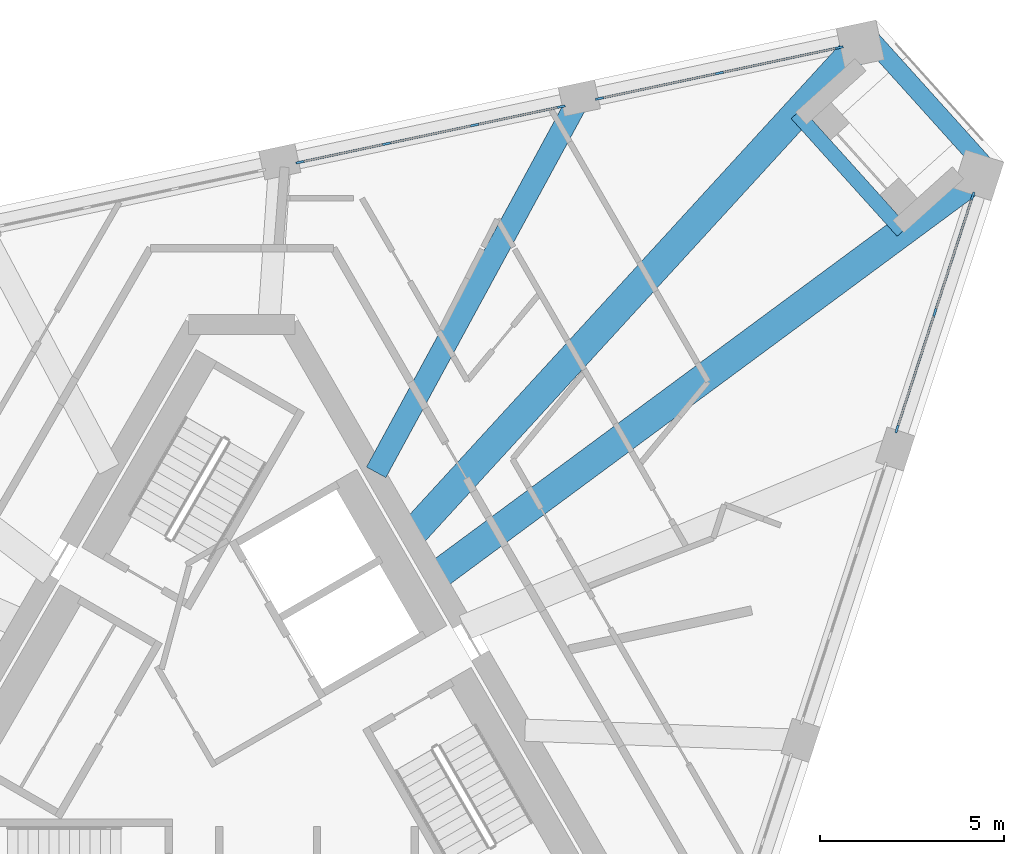
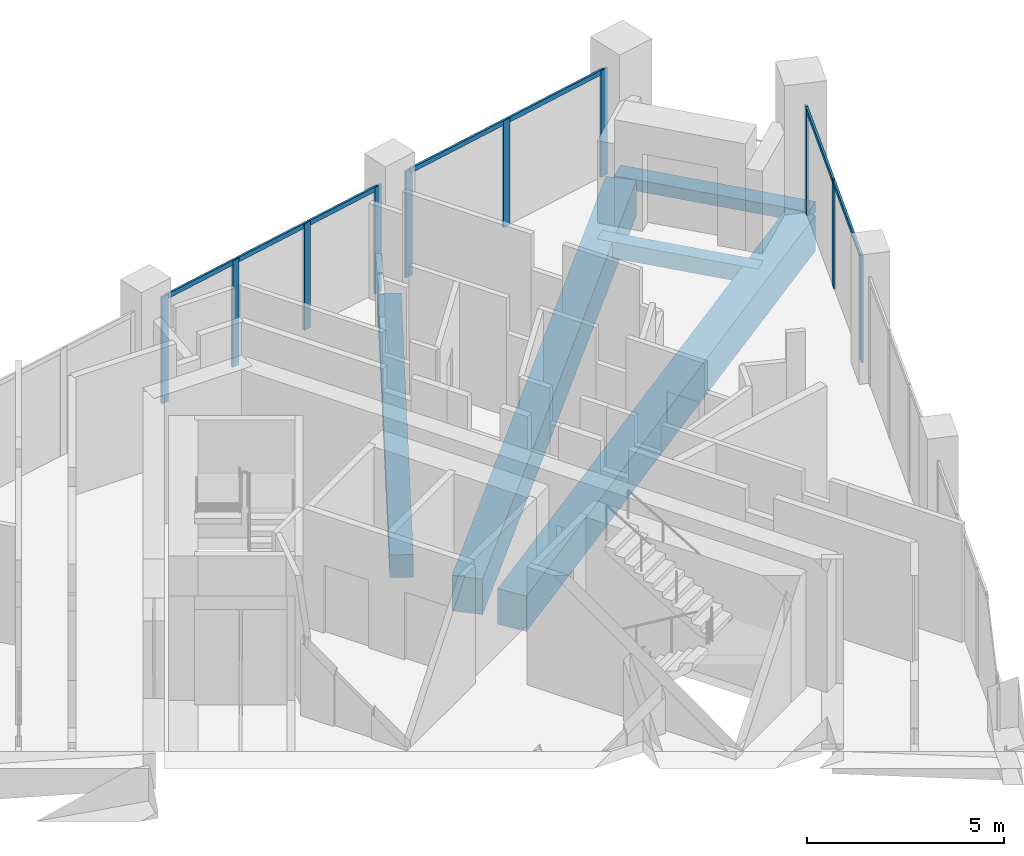
# One storey, part 8 of 17: 17 members, 5 beams, 3 elements without a shape of their own.
"""IFC4 building model written with IfcOpenShell, lengths in metres."""

from ifc_helpers import new_model, si_unit, direction, frame, origin, origin_2d, place, context, subcontext, project, spatial, rectangle, extrude, material, layer, layer_set, material_profile, profile_set, type_object, element, aggregate, save


model = new_model("IFC4")

# Units and contexts
model_context = context("Model", 3, precision=1e-05, world=origin(), true_north=direction((0.0, 1.0)))
body_context = subcontext(model_context, "Body", "Model", "MODEL_VIEW")
ifc_project = project(units=[si_unit("LENGTHUNIT", "METRE"), si_unit("AREAUNIT", "SQUARE_METRE"), si_unit("VOLUMEUNIT", "CUBIC_METRE"), si_unit("PLANEANGLEUNIT", "RADIAN"), si_unit("MASSUNIT", "GRAM", prefix="KILO")], contexts=[model_context])

# Site, building, storey
site_placement = place(None, origin())
site = spatial("IfcSite", under=ifc_project, at=site_placement, CompositionType="ELEMENT")
building_placement = place(site_placement, origin())
building = spatial("IfcBuilding", under=site, at=building_placement, Name="Tramontana Tower", CompositionType="ELEMENT")
storey_placement = place(building_placement, frame((0.0, 0.0, 348.39990234375)))
storey = spatial("IfcBuildingStorey", under=building, at=storey_placement, Name="L80", CompositionType="ELEMENT", Elevation=348.39990234375)

# Curtain wall, members
ifc_material_1 = material(Name="Aluminum extrusion", Category="aluminium")
ifc_layer = layer(ifc_material_1, 0.14990234375)
ifc_layer_set = layer_set([ifc_layer], Name="CW5 Top lounge curtain wall")
curtain_wall_type = type_object("IfcCurtainWallType", Name="CW5 Top lounge curtain wall", PredefinedType="NOTDEFINED", material=ifc_layer_set)
curtain_wall_1_placement = place(storey_placement, origin())
curtain_wall_1 = element("IfcCurtainWall", 1, at=curtain_wall_1_placement, inside=storey, type_object=curtain_wall_type, Name="CW5 curtain wall L80 face 1 bay 5", PredefinedType="NOTDEFINED")
ifc_material_2 = material(Name="Aluminum extrusion", Category="aluminium")
ifc_material_profile_1 = material_profile(ifc_material_2, rectangle(XDim=0.06005859375, YDim=0.219970703125, at=origin_2d()), Name="CW5-M Mullion 60 x 220")
ifc_profile_set_1 = profile_set([ifc_material_profile_1], Name="Aluminum extrusion")
member_type_1 = type_object("IfcMemberType", Name="CW5-M Mullion 60 x 220", PredefinedType="MULLION", material=ifc_profile_set_1)
member_1_placement = place(storey_placement, frame((17.783935546875, 7.891357421875, 0.0), z_axis=(0.0, 0.0, 1.0), x_axis=(-0.951056516295, 0.309016994375, 0.0)))
member_1 = element("IfcMember", 2, at=member_1_placement, type_object=member_type_1, Name="CW5 curtain wall L80 face 1 bay 5 mullion 1", PredefinedType="MULLION", context=body_context, shape_type="SweptSolid", body=[
    extrude(rectangle(XDim=0.06005859375, YDim=0.219970703125, at=origin_2d()), origin(), (0.0, 0.0, 1.0), 3.300048828125),
])
member_2_placement = place(storey_placement, frame((18.81201171875, 11.055419921875, 0.0), z_axis=(0.0, 0.0, 1.0), x_axis=(-0.951056516295, 0.309016994375, 0.0)))
member_2 = element("IfcMember", 3, at=member_2_placement, type_object=member_type_1, Name="CW5 curtain wall L80 face 1 bay 5 mullion 2", PredefinedType="MULLION", context=body_context, shape_type="SweptSolid", body=[
    extrude(rectangle(XDim=0.06005859375, YDim=0.219970703125, at=origin_2d()), origin(), (0.0, 0.0, 1.0), 3.300048828125),
])
member_3_placement = place(storey_placement, frame((19.840087890625, 14.2197265625, 0.0), z_axis=(0.0, 0.0, 1.0), x_axis=(-0.951056516295, 0.309016994375, 0.0)))
member_3 = element("IfcMember", 4, at=member_3_placement, type_object=member_type_1, Name="CW5 curtain wall L80 face 1 bay 5 mullion 3", PredefinedType="MULLION", context=body_context, shape_type="SweptSolid", body=[
    extrude(rectangle(XDim=0.06005859375, YDim=0.219970703125, at=origin_2d()), origin(), (0.0, 0.0, 1.0), 3.300048828125),
])

curtain_wall_2_placement = place(storey_placement, origin())
curtain_wall_2 = element("IfcCurtainWall", 5, at=curtain_wall_2_placement, inside=storey, type_object=curtain_wall_type, Name="CW5 curtain wall L80 face 2 bay 1", PredefinedType="NOTDEFINED")
member_4_placement = place(storey_placement, frame((16.215576171875, 18.2451171875, 0.0), z_axis=(0.0, 0.0, 1.0), x_axis=(0.207911690818, -0.978147600734, 0.0)))
member_4 = element("IfcMember", 6, at=member_4_placement, type_object=member_type_1, Name="CW5 curtain wall L80 face 2 bay 1 mullion 1", PredefinedType="MULLION", context=body_context, shape_type="SweptSolid", body=[
    extrude(rectangle(XDim=0.06005859375, YDim=0.219970703125, at=origin_2d()), origin(), (0.0, 0.0, 1.0), 3.300048828125),
])
member_5_placement = place(storey_placement, frame((12.96142578125, 17.553466796875, 0.0), z_axis=(0.0, 0.0, 1.0), x_axis=(0.207911690818, -0.978147600734, 0.0)))
member_5 = element("IfcMember", 7, at=member_5_placement, type_object=member_type_1, Name="CW5 curtain wall L80 face 2 bay 1 mullion 2", PredefinedType="MULLION", context=body_context, shape_type="SweptSolid", body=[
    extrude(rectangle(XDim=0.06005859375, YDim=0.219970703125, at=origin_2d()), origin(), (0.0, 0.0, 1.0), 3.300048828125),
])
member_6_placement = place(storey_placement, frame((9.70703125, 16.86181640625, 0.0), z_axis=(0.0, 0.0, 1.0), x_axis=(0.207911690818, -0.978147600734, 0.0)))
member_6 = element("IfcMember", 8, at=member_6_placement, type_object=member_type_1, Name="CW5 curtain wall L80 face 2 bay 1 mullion 3", PredefinedType="MULLION", context=body_context, shape_type="SweptSolid", body=[
    extrude(rectangle(XDim=0.06005859375, YDim=0.219970703125, at=origin_2d()), origin(), (0.0, 0.0, 1.0), 3.300048828125),
])

curtain_wall_3_placement = place(storey_placement, origin())
curtain_wall_3 = element("IfcCurtainWall", 9, at=curtain_wall_3_placement, inside=storey, type_object=curtain_wall_type, Name="CW5 curtain wall L80 face 2 bay 2", PredefinedType="NOTDEFINED")
member_7_placement = place(storey_placement, frame((8.67041015625, 16.641357421875, 0.0), z_axis=(0.0, 0.0, 1.0), x_axis=(0.207911690818, -0.978147600734, 0.0)))
member_7 = element("IfcMember", 10, at=member_7_placement, type_object=member_type_1, Name="CW5 curtain wall L80 face 2 bay 2 mullion 1", PredefinedType="MULLION", context=body_context, shape_type="SweptSolid", body=[
    extrude(rectangle(XDim=0.06005859375, YDim=0.219970703125, at=origin_2d()), origin(), (0.0, 0.0, 1.0), 3.300048828125),
])
member_8_placement = place(storey_placement, frame((6.31494140625, 16.140625, 0.0), z_axis=(0.0, 0.0, 1.0), x_axis=(0.207911690818, -0.978147600734, 0.0)))
member_8 = element("IfcMember", 11, at=member_8_placement, type_object=member_type_1, Name="CW5 curtain wall L80 face 2 bay 2 mullion 2", PredefinedType="MULLION", context=body_context, shape_type="SweptSolid", body=[
    extrude(rectangle(XDim=0.06005859375, YDim=0.219970703125, at=origin_2d()), origin(), (0.0, 0.0, 1.0), 3.300048828125),
])
member_9_placement = place(storey_placement, frame((3.930419921875, 15.6337890625, 0.0), z_axis=(0.0, 0.0, 1.0), x_axis=(0.207911690818, -0.978147600734, 0.0)))
member_9 = element("IfcMember", 12, at=member_9_placement, type_object=member_type_1, Name="CW5 curtain wall L80 face 2 bay 2 mullion 3", PredefinedType="MULLION", context=body_context, shape_type="SweptSolid", body=[
    extrude(rectangle(XDim=0.06005859375, YDim=0.219970703125, at=origin_2d()), origin(), (0.0, 0.0, 1.0), 3.300048828125),
])
member_10_placement = place(storey_placement, frame((1.574951171875, 15.133056640625, 0.0), z_axis=(0.0, 0.0, 1.0), x_axis=(0.207911690818, -0.978147600734, 0.0)))
member_10 = element("IfcMember", 13, at=member_10_placement, type_object=member_type_1, Name="CW5 curtain wall L80 face 2 bay 2 mullion 4", PredefinedType="MULLION", context=body_context, shape_type="SweptSolid", body=[
    extrude(rectangle(XDim=0.06005859375, YDim=0.219970703125, at=origin_2d()), origin(), (0.0, 0.0, 1.0), 3.300048828125),
])

# Member
ifc_material_3 = material(Name="Aluminum extrusion", Category="aluminium")
ifc_material_profile_2 = material_profile(ifc_material_3, rectangle(XDim=0.06005859375, YDim=0.14990234375, at=origin_2d()), Name="CW5-T Transom 60 x 150")
ifc_profile_set_2 = profile_set([ifc_material_profile_2], Name="Aluminum extrusion")
member_type_2 = type_object("IfcMemberType", Name="CW5-T Transom 60 x 150", PredefinedType="USERDEFINED", material=ifc_profile_set_2)
member_11_placement = place(storey_placement, frame((17.793212890625, 7.919921875, 3.239990234375), z_axis=(0.308999895303, 0.951062071951, 0.0), x_axis=(-0.951062071951, 0.308999895303, 0.0)))
member_11 = element("IfcMember", 14, at=member_11_placement, type_object=member_type_2, Name="CW5 curtain wall L80 face 1 bay 5 transom 1.1", ObjectType="TRANSOM", PredefinedType="USERDEFINED", context=body_context, shape_type="SweptSolid", body=[
    extrude(rectangle(XDim=0.06005859375, YDim=0.14990234375, at=origin_2d()), origin(), (0.0, 0.0, 1.0), 3.26708984375),
])

member_12_placement = place(storey_placement, frame((18.8212890625, 11.083984375, 3.239990234375), z_axis=(0.308999895303, 0.951062071951, 0.0), x_axis=(-0.951062071951, 0.308999895303, 0.0)))
member_12 = element("IfcMember", 15, at=member_12_placement, type_object=member_type_2, Name="CW5 curtain wall L80 face 1 bay 5 transom 2.1", ObjectType="TRANSOM", PredefinedType="USERDEFINED", context=body_context, shape_type="SweptSolid", body=[
    extrude(rectangle(XDim=0.06005859375, YDim=0.14990234375, at=origin_2d()), origin(), (0.0, 0.0, 1.0), 3.26708984375),
])

aggregate(curtain_wall_1, [member_1, member_2, member_3, member_11, member_12])

member_13_placement = place(storey_placement, frame((16.186279296875, 18.23876953125, 3.239990234375), z_axis=(-0.978149923447, -0.207900763009, 0.0), x_axis=(0.207900763009, -0.978149923447, 0.0)))
member_13 = element("IfcMember", 16, at=member_13_placement, type_object=member_type_2, Name="CW5 curtain wall L80 face 2 bay 1 transom 1.1", ObjectType="TRANSOM", PredefinedType="USERDEFINED", context=body_context, shape_type="SweptSolid", body=[
    extrude(rectangle(XDim=0.06005859375, YDim=0.14990234375, at=origin_2d()), origin(), (0.0, 0.0, 1.0), 3.266845703125),
])

member_14_placement = place(storey_placement, frame((12.93212890625, 17.547119140625, 3.239990234375), z_axis=(-0.978149923447, -0.207900763009, 0.0), x_axis=(0.207900763009, -0.978149923447, 0.0)))
member_14 = element("IfcMember", 17, at=member_14_placement, type_object=member_type_2, Name="CW5 curtain wall L80 face 2 bay 1 transom 2.1", ObjectType="TRANSOM", PredefinedType="USERDEFINED", context=body_context, shape_type="SweptSolid", body=[
    extrude(rectangle(XDim=0.06005859375, YDim=0.14990234375, at=origin_2d()), origin(), (0.0, 0.0, 1.0), 3.266845703125),
])

aggregate(curtain_wall_2, [member_4, member_5, member_6, member_13, member_14])

member_15_placement = place(storey_placement, frame((8.640869140625, 16.635009765625, 3.239990234375), z_axis=(-0.978158586648, -0.207859999438, 0.0), x_axis=(0.207859999438, -0.978158586648, 0.0)))
member_15 = element("IfcMember", 18, at=member_15_placement, type_object=member_type_2, Name="CW5 curtain wall L80 face 2 bay 2 transom 1.1", ObjectType="TRANSOM", PredefinedType="USERDEFINED", context=body_context, shape_type="SweptSolid", body=[
    extrude(rectangle(XDim=0.06005859375, YDim=0.14990234375, at=origin_2d()), origin(), (0.0, 0.0, 1.0), 2.347900390625),
])

member_16_placement = place(storey_placement, frame((6.28564453125, 16.134521484375, 3.239990234375), z_axis=(-0.978148151192, -0.207909101098, 0.0), x_axis=(0.207909101098, -0.978148151192, 0.0)))
member_16 = element("IfcMember", 19, at=member_16_placement, type_object=member_type_2, Name="CW5 curtain wall L80 face 2 bay 2 transom 2.1", ObjectType="TRANSOM", PredefinedType="USERDEFINED", context=body_context, shape_type="SweptSolid", body=[
    extrude(rectangle(XDim=0.06005859375, YDim=0.14990234375, at=origin_2d()), origin(), (0.0, 0.0, 1.0), 2.3779296875),
])

member_17_placement = place(storey_placement, frame((3.90087890625, 15.62744140625, 3.239990234375), z_axis=(-0.978158586648, -0.207859999438, 0.0), x_axis=(0.207859999438, -0.978158586648, 0.0)))
member_17 = element("IfcMember", 20, at=member_17_placement, type_object=member_type_2, Name="CW5 curtain wall L80 face 2 bay 2 transom 3.1", ObjectType="TRANSOM", PredefinedType="USERDEFINED", context=body_context, shape_type="SweptSolid", body=[
    extrude(rectangle(XDim=0.06005859375, YDim=0.14990234375, at=origin_2d()), origin(), (0.0, 0.0, 1.0), 2.347900390625),
])

aggregate(curtain_wall_3, [member_7, member_8, member_9, member_10, member_15, member_16, member_17])

# Beams
ifc_material_4 = material(Name="Concrete 40 MPa", Category="concrete")
ifc_material_profile_3 = material_profile(ifc_material_4, rectangle(XDim=0.5, YDim=0.35009765625, at=origin_2d()), Name="RC EDGE BEAM 500X350 40 MPa")
ifc_profile_set_3 = profile_set([ifc_material_profile_3], Name="Concrete 40 MPa")
beam_type_1 = type_object("IfcBeamType", Name="RC EDGE BEAM 500X350 40 MPa", PredefinedType="SPANDREL", material=ifc_profile_set_3)
beam_1_placement = place(storey_placement, frame((20.354248046875, 14.8310546875, -0.52490234375), z_axis=(-0.66916199362, 0.74311656306, 0.0), x_axis=(-0.74311656306, -0.66916199362, 0.0)))
element("IfcBeam", 21, at=beam_1_placement, inside=storey, type_object=beam_type_1, Name="Spandrel beam K2 L80", PredefinedType="SPANDREL", context=body_context, shape_type="SweptSolid", body=[
    extrude(rectangle(XDim=0.5, YDim=0.35009765625, at=origin_2d()), origin(), (0.0, 0.0, 1.0), 5.196044921875),
])
ifc_material_5 = material(Name="Concrete 40 MPa", Category="concrete")
ifc_material_profile_4 = material_profile(ifc_material_5, rectangle(XDim=0.60009765625, YDim=0.699951171875, at=origin_2d()), Name="RC GIRDER 600X700 40 MPa")
ifc_profile_set_4 = profile_set([ifc_material_profile_4], Name="Concrete 40 MPa")
beam_type_2 = type_object("IfcBeamType", Name="RC GIRDER 600X700 40 MPa", PredefinedType="BEAM", material=ifc_profile_set_4)
beam_2_placement = place(storey_placement, frame((9.16259765625, 16.873779296875, -0.699951171875), z_axis=(-0.477185075818, -0.87880282397, 0.0), x_axis=(0.87880282397, -0.477185075818, 0.0)))
element("IfcBeam", 22, at=beam_2_placement, inside=storey, type_object=beam_type_2, Name="Radial girder C8F09 L80", PredefinedType="BEAM", context=body_context, shape_type="SweptSolid", body=[
    extrude(rectangle(XDim=0.60009765625, YDim=0.699951171875, at=origin_2d()), origin(), (0.0, 0.0, 1.0), 11.559814453125),
])
ifc_material_6 = material(Name="Concrete 40 MPa", Category="concrete")
ifc_material_profile_5 = material_profile(ifc_material_6, rectangle(XDim=0.800048828125, YDim=1.10009765625, at=origin_2d()), Name="RC GIRDER 800X1100 40 MPa")
ifc_profile_set_5 = profile_set([ifc_material_profile_5], Name="Concrete 40 MPa")
beam_type_3 = type_object("IfcBeamType", Name="RC GIRDER 800X1100 40 MPa", PredefinedType="BEAM", material=ifc_profile_set_5)
beam_3_placement = place(storey_placement, frame((19.99560546875, 14.779052734375, -0.89990234375), z_axis=(-0.804178630494, -0.594387693562, 0.0), x_axis=(0.594387693562, -0.804178630494, 0.0)))
element("IfcBeam", 23, at=beam_3_placement, inside=storey, type_object=beam_type_3, Name="Radial girder C8K4 L80", PredefinedType="BEAM", context=body_context, shape_type="SweptSolid", body=[
    extrude(rectangle(XDim=0.800048828125, YDim=1.10009765625, at=origin_2d()), origin(), (0.0, 0.0, 1.0), 18.34619140625),
])
beam_4_placement = place(storey_placement, frame((16.7880859375, 18.34130859375, -0.89990234375), z_axis=(-0.675183941423, -0.737649405371, 0.0), x_axis=(0.737649405371, -0.675183941423, 0.0)))
element("IfcBeam", 24, at=beam_4_placement, inside=storey, type_object=beam_type_3, Name="Radial girder C8K5 L80", PredefinedType="BEAM", context=body_context, shape_type="SweptSolid", body=[
    extrude(rectangle(XDim=0.800048828125, YDim=1.10009765625, at=origin_2d()), origin(), (0.0, 0.0, 1.0), 18.060791015625),
])
ifc_material_7 = material(Name="Concrete 40 MPa", Category="concrete")
ifc_material_profile_6 = material_profile(ifc_material_7, rectangle(XDim=0.39990234375, YDim=0.5, at=origin_2d()), Name="RC TRIM BEAM 400X500 40 MPa")
ifc_profile_set_6 = profile_set([ifc_material_profile_6], Name="Concrete 40 MPa")
beam_type_4 = type_object("IfcBeamType", Name="RC TRIM BEAM 400X500 40 MPa", PredefinedType="JOIST", material=ifc_profile_set_6)
beam_5_placement = place(storey_placement, frame((17.936279296875, 13.257080078125, -0.599853515625), z_axis=(-0.669146657008, 0.743130373094, 0.0), x_axis=(-0.743130373094, -0.669146657008, 0.0)))
element("IfcBeam", 25, at=beam_5_placement, inside=storey, type_object=beam_type_4, Name="Trimmer beam K2 L80", PredefinedType="JOIST", context=body_context, shape_type="SweptSolid", body=[
    extrude(rectangle(XDim=0.39990234375, YDim=0.5, at=origin_2d()), origin(), (0.0, 0.0, 1.0), 4.2998046875),
])

save(model, "model.ifc")
